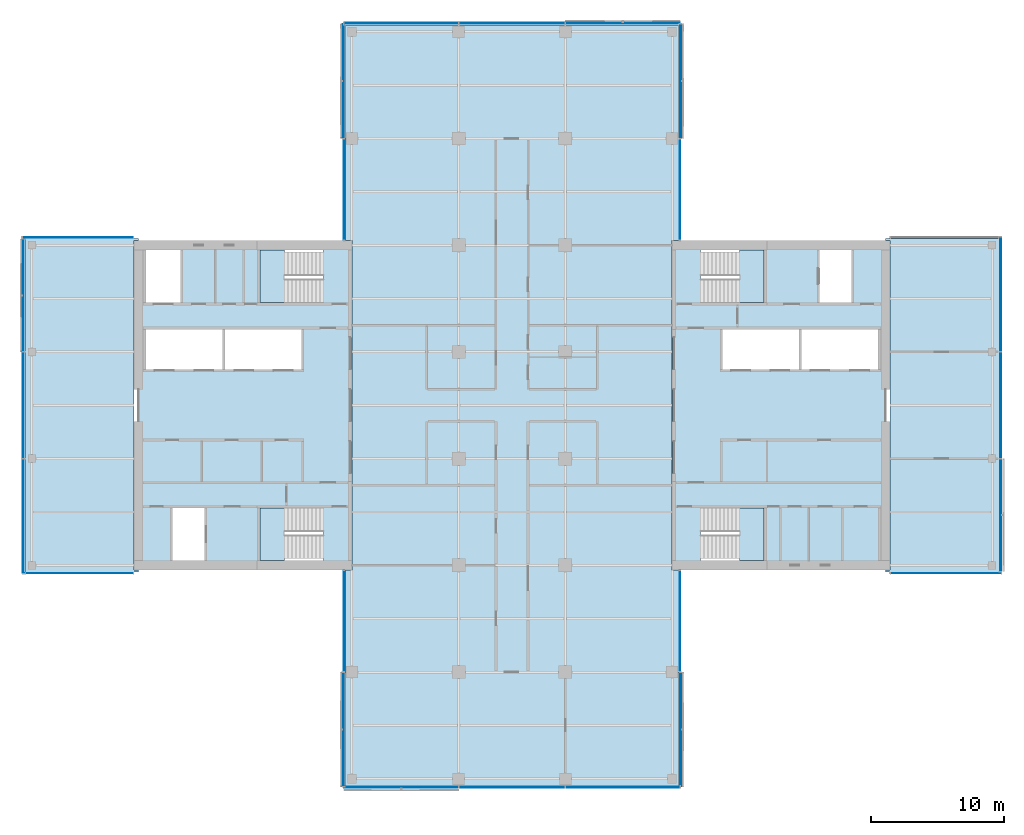
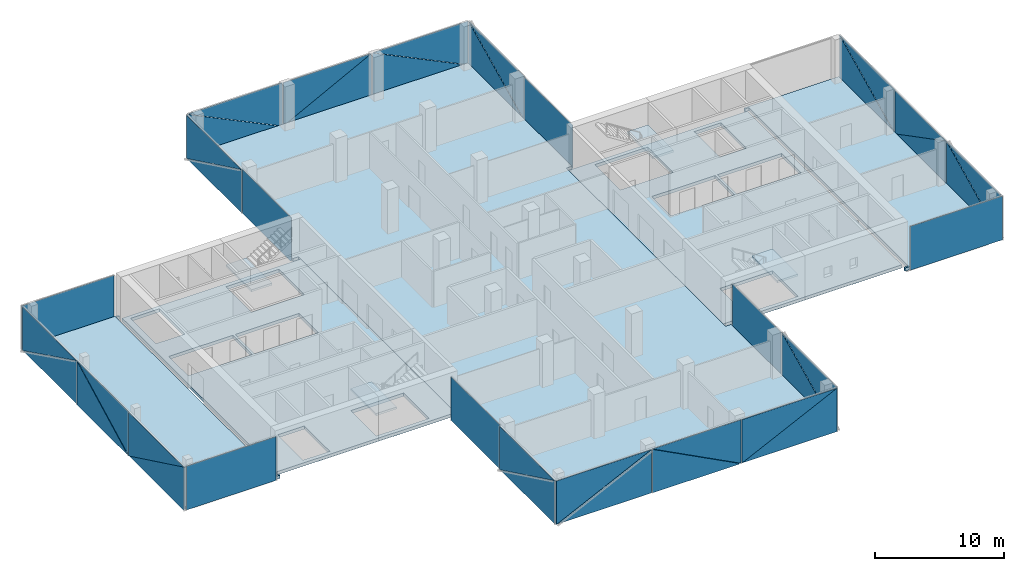
# One storey, part 12 of 22: 39 plates, 9 slabs, 19 elements without a shape of their own.
"""IFC4 building model written with IfcOpenShell, lengths in metres."""

from ifc_helpers import new_model, si_unit, direction, frame, origin, place, context, subcontext, project, spatial, polyline, outline, extrude, material, layer, layer_set, type_object, element, aggregate, save


model = new_model("IFC4")

# Units and contexts
model_context = context("Model", 3, precision=1e-05, world=origin(), true_north=direction((0.0, 1.0)))
body_context = subcontext(model_context, "Body", "Model", "MODEL_VIEW")
ifc_project = project(units=[si_unit("LENGTHUNIT", "METRE"), si_unit("AREAUNIT", "SQUARE_METRE"), si_unit("VOLUMEUNIT", "CUBIC_METRE"), si_unit("PLANEANGLEUNIT", "RADIAN"), si_unit("MASSUNIT", "GRAM", prefix="KILO")], contexts=[model_context])

# Site, building, storey
site_placement = place(None, origin())
site = spatial("IfcSite", under=ifc_project, at=site_placement, CompositionType="ELEMENT")
building_placement = place(site_placement, origin())
building = spatial("IfcBuilding", under=site, at=building_placement, Name="Crosswind Convention Tower", CompositionType="ELEMENT")
storey_placement = place(building_placement, frame((0.0, 0.0, 150.5)))
storey = spatial("IfcBuildingStorey", under=building, at=storey_placement, Name="L31", CompositionType="ELEMENT", Elevation=150.5)

# Slabs
ifc_material_1 = material(Name="Concrete C40/50", Category="concrete")
ifc_layer_1 = layer(ifc_material_1, 0.300048828125)
ifc_layer_set_1 = layer_set([ifc_layer_1], Name="Concrete C40/50")
slab_type_1 = type_object("IfcSlabType", Name="Composite floor slab 300", PredefinedType="FLOOR", material=ifc_layer_set_1)
slab_1_placement = place(storey_placement, frame((0.0, 0.0, -0.300048828125)))
element("IfcSlab", 1, at=slab_1_placement, inside=storey, type_object=slab_type_1, Name="Floor slab L31 part 1", PredefinedType="FLOOR", context=body_context, shape_type="SweptSolid", body=[
    extrude(outline(polyline([(97.0, 87.5), (89.0, 87.5), (88.5, 87.5), (88.5, 88.0), (88.5, 112.0), (88.5, 112.5), (89.0, 112.5), (97.0, 112.5), (97.0, 112.35009765625), (96.64990234375, 112.35009765625), (96.64990234375, 87.64990234375), (97.0, 87.64990234375), (97.0, 87.5)])), origin(), (0.0, 0.0, 1.0), 0.300048828125),
])
slab_2_placement = place(storey_placement, frame((0.0, 0.0, -0.300048828125)))
element("IfcSlab", 2, at=slab_2_placement, inside=storey, type_object=slab_type_1, Name="Floor slab L31 part 2", PredefinedType="FLOOR", context=body_context, shape_type="SweptSolid", body=[
    extrude(outline(polyline([(112.5, 87.64990234375), (113.0, 87.64990234375), (113.0, 112.35009765625), (112.5, 112.35009765625), (112.5, 128.0), (112.5, 128.5), (113.0, 128.5), (137.0, 128.5), (137.5, 128.5), (137.5, 128.0), (137.5, 112.35009765625), (137.0, 112.35009765625), (137.0, 87.64990234375), (137.5, 87.64990234375), (137.5, 72.0), (137.5, 71.5), (137.0, 71.5), (113.0, 71.5), (112.5, 71.5), (112.5, 72.0), (112.5, 87.64990234375)])), origin(), (0.0, 0.0, 1.0), 0.300048828125),
])
slab_3_placement = place(storey_placement, frame((0.0, 0.0, -0.300048828125)))
element("IfcSlab", 3, at=slab_3_placement, inside=storey, type_object=slab_type_1, Name="Floor slab L31 part 3", PredefinedType="FLOOR", context=body_context, shape_type="SweptSolid", body=[
    extrude(outline(polyline([(153.0, 112.5), (161.0, 112.5), (161.5, 112.5), (161.5, 112.0), (161.5, 88.0), (161.5, 87.5), (161.0, 87.5), (153.0, 87.5), (153.0, 87.64990234375), (153.35009765625, 87.64990234375), (153.35009765625, 112.35009765625), (153.0, 112.35009765625), (153.0, 112.5)])), origin(), (0.0, 0.0, 1.0), 0.300048828125),
])
ifc_layer_2 = layer(ifc_material_1, 0.300048828125)
ifc_layer_set_2 = layer_set([ifc_layer_2], Name="Concrete C40/50")
slab_type_2 = type_object("IfcSlabType", Name="Concrete core floor slab 300", PredefinedType="FLOOR", material=ifc_layer_set_2)
slab_4_placement = place(storey_placement, frame((0.0, 0.0, -0.300048828125)))
element("IfcSlab", 4, at=slab_4_placement, inside=storey, type_object=slab_type_2, Name="Core floor slab E L31", PredefinedType="FLOOR", context=body_context, shape_type="SweptSolid", body=[
    extrude(outline(polyline([(137.0, 88.0), (153.0, 88.0), (153.0, 112.0), (137.0, 112.0), (137.0, 88.0)]), holes=[polyline([(146.5, 102.699951171875), (146.5, 105.699951171875), (140.800048828125, 105.699951171875), (140.800048828125, 102.699951171875), (146.5, 102.699951171875)]), polyline([(152.449951171875, 102.699951171875), (152.449951171875, 105.699951171875), (146.699951171875, 105.699951171875), (146.699951171875, 102.699951171875), (152.449951171875, 102.699951171875)]), polyline([(150.449951171875, 107.699951171875), (150.449951171875, 111.64990234375), (148.050048828125, 111.64990234375), (148.050048828125, 107.699951171875), (150.449951171875, 107.699951171875)]), polyline([(143.89990234375, 107.699951171875), (143.89990234375, 111.64990234375), (139.14990234375, 111.64990234375), (139.14990234375, 107.699951171875), (143.89990234375, 107.699951171875)]), polyline([(143.89990234375, 88.35009765625), (143.89990234375, 92.300048828125), (139.14990234375, 92.300048828125), (139.14990234375, 88.35009765625), (143.89990234375, 88.35009765625)])]), origin(), (0.0, 0.0, 1.0), 0.300048828125),
])
slab_5_placement = place(storey_placement, frame((0.0, 0.0, -0.300048828125)))
element("IfcSlab", 5, at=slab_5_placement, inside=storey, type_object=slab_type_2, Name="Core floor slab W L31", PredefinedType="FLOOR", context=body_context, shape_type="SweptSolid", body=[
    extrude(outline(polyline([(97.0, 88.0), (113.0, 88.0), (113.0, 112.0), (97.0, 112.0), (97.0, 88.0)]), holes=[polyline([(109.199951171875, 102.699951171875), (109.199951171875, 105.699951171875), (103.5, 105.699951171875), (103.5, 102.699951171875), (109.199951171875, 102.699951171875)]), polyline([(103.300048828125, 102.699951171875), (103.300048828125, 105.699951171875), (97.550048828125, 105.699951171875), (97.550048828125, 102.699951171875), (103.300048828125, 102.699951171875)]), polyline([(101.949951171875, 88.35009765625), (101.949951171875, 92.300048828125), (99.550048828125, 92.300048828125), (99.550048828125, 88.35009765625), (101.949951171875, 88.35009765625)]), polyline([(100.14990234375, 107.699951171875), (100.14990234375, 111.64990234375), (97.550048828125, 111.64990234375), (97.550048828125, 107.699951171875), (100.14990234375, 107.699951171875)]), polyline([(110.85009765625, 88.35009765625), (110.85009765625, 92.300048828125), (106.10009765625, 92.300048828125), (106.10009765625, 88.35009765625), (110.85009765625, 88.35009765625)]), polyline([(110.85009765625, 107.699951171875), (110.85009765625, 111.64990234375), (106.10009765625, 111.64990234375), (106.10009765625, 107.699951171875), (110.85009765625, 107.699951171875)])]), origin(), (0.0, 0.0, 1.0), 0.300048828125),
])

# Stair, slab
stair_type = type_object("IfcStairType", Name="Exit stair 1800 wide, 2 flights of 11 risers", PredefinedType="HALF_TURN_STAIR", material=ifc_material_1)
stair_1_placement = place(storey_placement, origin())
stair_1 = element("IfcStair", 6, at=stair_1_placement, inside=storey, type_object=stair_type, Name="Exit stair ST1 L31", ObjectType="ST5", PredefinedType="HALF_TURN_STAIR")
ifc_layer_3 = layer(ifc_material_1, 0.199951171875)
ifc_layer_set_3 = layer_set([ifc_layer_3], Name="Concrete C40/50")
slab_type_3 = type_object("IfcSlabType", Name="Stair landing 200", PredefinedType="LANDING", material=ifc_layer_set_3)
slab_6_placement = place(storey_placement, frame((0.0, 0.0, 1.89990234375)))
slab_6 = element("IfcSlab", 7, at=slab_6_placement, type_object=slab_type_3, Name="ST1 landing 1", PredefinedType="LANDING", context=body_context, shape_type="SweptSolid", body=[
    extrude(outline(polyline([(143.89990234375, 107.699951171875), (143.89990234375, 111.64990234375), (142.050048828125, 111.64990234375), (142.050048828125, 107.699951171875), (143.89990234375, 107.699951171875)])), origin(), (0.0, 0.0, 1.0), 0.2001953125),
])
aggregate(stair_1, [slab_6])

stair_2_placement = place(storey_placement, origin())
stair_2 = element("IfcStair", 8, at=stair_2_placement, inside=storey, type_object=stair_type, Name="Exit stair ST2 L31", ObjectType="ST5", PredefinedType="HALF_TURN_STAIR")
slab_7_placement = place(storey_placement, frame((0.0, 0.0, 1.89990234375)))
slab_7 = element("IfcSlab", 9, at=slab_7_placement, type_object=slab_type_3, Name="ST2 landing 1", PredefinedType="LANDING", context=body_context, shape_type="SweptSolid", body=[
    extrude(outline(polyline([(143.89990234375, 88.35009765625), (143.89990234375, 92.300048828125), (142.050048828125, 92.300048828125), (142.050048828125, 88.35009765625), (143.89990234375, 88.35009765625)])), origin(), (0.0, 0.0, 1.0), 0.2001953125),
])
aggregate(stair_2, [slab_7])

stair_3_placement = place(storey_placement, origin())
stair_3 = element("IfcStair", 10, at=stair_3_placement, inside=storey, type_object=stair_type, Name="Exit stair ST3 L31", ObjectType="ST5", PredefinedType="HALF_TURN_STAIR")
slab_8_placement = place(storey_placement, frame((0.0, 0.0, 1.89990234375)))
slab_8 = element("IfcSlab", 11, at=slab_8_placement, type_object=slab_type_3, Name="ST3 landing 1", PredefinedType="LANDING", context=body_context, shape_type="SweptSolid", body=[
    extrude(outline(polyline([(107.949951171875, 88.35009765625), (107.949951171875, 92.300048828125), (106.10009765625, 92.300048828125), (106.10009765625, 88.35009765625), (107.949951171875, 88.35009765625)])), origin(), (0.0, 0.0, 1.0), 0.2001953125),
])
aggregate(stair_3, [slab_8])

stair_4_placement = place(storey_placement, origin())
stair_4 = element("IfcStair", 12, at=stair_4_placement, inside=storey, type_object=stair_type, Name="Exit stair ST4 L31", ObjectType="ST5", PredefinedType="HALF_TURN_STAIR")
slab_9_placement = place(storey_placement, frame((0.0, 0.0, 1.89990234375)))
slab_9 = element("IfcSlab", 13, at=slab_9_placement, type_object=slab_type_3, Name="ST4 landing 1", PredefinedType="LANDING", context=body_context, shape_type="SweptSolid", body=[
    extrude(outline(polyline([(107.949951171875, 107.699951171875), (107.949951171875, 111.64990234375), (106.10009765625, 111.64990234375), (106.10009765625, 107.699951171875), (107.949951171875, 107.699951171875)])), origin(), (0.0, 0.0, 1.0), 0.2001953125),
])
aggregate(stair_4, [slab_9])

# Curtain wall, plate
ifc_material_2 = material(Name="Aluminium unitised curtain wall", Category="aluminium")
curtain_wall_type_1 = type_object("IfcCurtainWallType", Name="CORE END SLOT WALL 160", PredefinedType="USERDEFINED", material=ifc_material_2)
curtain_wall_1_placement = place(storey_placement, origin())
curtain_wall_1 = element("IfcCurtainWall", 14, at=curtain_wall_1_placement, inside=storey, type_object=curtain_wall_type_1, Name="CW6 L31 N-E.1-1 slot", ObjectType="UNITISED", PredefinedType="USERDEFINED")
ifc_material_3 = material(Name="Laminated insulating glass unit", Category="glass")
ifc_layer_4 = layer(ifc_material_3, 0.02587890625)
ifc_layer_set_4 = layer_set([ifc_layer_4], Name="TRIANGULAR GLASS PANEL 26")
plate_type_1 = type_object("IfcPlateType", Name="TRIANGULAR GLASS PANEL 26", PredefinedType="CURTAIN_PANEL", material=ifc_layer_set_4)
plate_1_placement = place(storey_placement, frame((137.60693359375, 112.39990234375, -0.300048828125), z_axis=(0.999999915215, 0.0, 0.000411788894), x_axis=(0.0, 1.0, 0.0)))
plate_1 = element("IfcPlate", 15, at=plate_1_placement, type_object=plate_type_1, Name="CW6 panel 1.1", PredefinedType="CURTAIN_PANEL", context=body_context, shape_type="SweptSolid", body=[
    extrude(outline(polyline([(0.0, 0.0), (7.550048828125, 0.0), (7.550048828125, 4.1501468362454075), (0.0, 4.1501468362454075), (0.0, 0.0)])), origin(), (0.0, 0.0, -1.0), 0.02587890625),
])
aggregate(curtain_wall_1, [plate_1])

curtain_wall_2_placement = place(storey_placement, origin())
curtain_wall_2 = element("IfcCurtainWall", 16, at=curtain_wall_2_placement, inside=storey, type_object=curtain_wall_type_1, Name="CW6 L31 N-W.1-2 slot", ObjectType="UNITISED", PredefinedType="USERDEFINED")
plate_2_placement = place(storey_placement, frame((112.39306640625, 119.949951171875, -0.300048828125), z_axis=(-0.999999915215, 0.0, 0.000411788894), x_axis=(0.0, -1.0, 0.0)))
plate_2 = element("IfcPlate", 17, at=plate_2_placement, type_object=plate_type_1, Name="CW6 panel 1.1", PredefinedType="CURTAIN_PANEL", context=body_context, shape_type="SweptSolid", body=[
    extrude(outline(polyline([(0.0, 0.0), (7.550048828125, 0.0), (7.550048828125, 4.1501468362454075), (0.0, 4.1501468362454075), (0.0, 0.0)])), origin(), (0.0, 0.0, -1.0), 0.02587890625),
])
aggregate(curtain_wall_2, [plate_2])

curtain_wall_3_placement = place(storey_placement, origin())
curtain_wall_3 = element("IfcCurtainWall", 18, at=curtain_wall_3_placement, inside=storey, type_object=curtain_wall_type_1, Name="CW6 L31 W-N.2-1 slot", ObjectType="UNITISED", PredefinedType="USERDEFINED")
plate_3_placement = place(storey_placement, frame((96.60009765625, 112.60693359375, -0.300048828125), z_axis=(0.0, 0.999999915215, 0.000411788894), x_axis=(-1.0, 0.0, 0.0)))
plate_3 = element("IfcPlate", 19, at=plate_3_placement, type_object=plate_type_1, Name="CW6 panel 1.1", PredefinedType="CURTAIN_PANEL", context=body_context, shape_type="SweptSolid", body=[
    extrude(outline(polyline([(0.0, 0.0), (8.27001953125, 0.0), (8.27001953125, 4.1501468362454075), (0.0, 4.1501468362454075), (0.0, 0.0)])), origin(), (0.0, 0.0, -1.0), 0.02587890625),
])
aggregate(curtain_wall_3, [plate_3])

curtain_wall_4_placement = place(storey_placement, origin())
curtain_wall_4 = element("IfcCurtainWall", 20, at=curtain_wall_4_placement, inside=storey, type_object=curtain_wall_type_1, Name="CW6 L31 W-S.1-1 slot", ObjectType="UNITISED", PredefinedType="USERDEFINED")
plate_4_placement = place(storey_placement, frame((88.550048828125, 87.39306640625, -0.300048828125), z_axis=(0.0, -0.999999915215, 0.000411788894), x_axis=(1.0, 0.0, 0.0)))
plate_4 = element("IfcPlate", 21, at=plate_4_placement, type_object=plate_type_1, Name="CW6 panel 1.1", PredefinedType="CURTAIN_PANEL", context=body_context, shape_type="SweptSolid", body=[
    extrude(outline(polyline([(0.0, 0.0), (8.050048828125, 0.0), (8.050048828125, 4.150146836245408), (0.0, 4.150146836245408), (0.0, 0.0)])), origin(), (0.0, 0.0, -1.0), 0.02587890625),
])
aggregate(curtain_wall_4, [plate_4])

curtain_wall_5_placement = place(storey_placement, origin())
curtain_wall_5 = element("IfcCurtainWall", 22, at=curtain_wall_5_placement, inside=storey, type_object=curtain_wall_type_1, Name="CW6 L31 S-W.1-1 slot", ObjectType="UNITISED", PredefinedType="USERDEFINED")
plate_5_placement = place(storey_placement, frame((112.39306640625, 87.60009765625, -0.300048828125), z_axis=(-0.999999915215, 0.0, 0.000411788894), x_axis=(0.0, -1.0, 0.0)))
plate_5 = element("IfcPlate", 23, at=plate_5_placement, type_object=plate_type_1, Name="CW6 panel 1.1", PredefinedType="CURTAIN_PANEL", context=body_context, shape_type="SweptSolid", body=[
    extrude(outline(polyline([(0.0, 0.0), (7.550048828125, 0.0), (7.550048828125, 4.1501468362454075), (0.0, 4.1501468362454075), (0.0, 0.0)])), origin(), (0.0, 0.0, -1.0), 0.02587890625),
])
aggregate(curtain_wall_5, [plate_5])

curtain_wall_6_placement = place(storey_placement, origin())
curtain_wall_6 = element("IfcCurtainWall", 24, at=curtain_wall_6_placement, inside=storey, type_object=curtain_wall_type_1, Name="CW6 L31 S-E.1-2 slot", ObjectType="UNITISED", PredefinedType="USERDEFINED")
plate_6_placement = place(storey_placement, frame((137.60693359375, 80.050048828125, -0.300048828125), z_axis=(0.999999915215, 0.0, 0.000411788894), x_axis=(0.0, 1.0, 0.0)))
plate_6 = element("IfcPlate", 25, at=plate_6_placement, type_object=plate_type_1, Name="CW6 panel 1.1", PredefinedType="CURTAIN_PANEL", context=body_context, shape_type="SweptSolid", body=[
    extrude(outline(polyline([(0.0, 0.0), (7.550048828125, 0.0), (7.550048828125, 4.1501468362454075), (0.0, 4.1501468362454075), (0.0, 0.0)])), origin(), (0.0, 0.0, -1.0), 0.02587890625),
])
aggregate(curtain_wall_6, [plate_6])

curtain_wall_7_placement = place(storey_placement, origin())
curtain_wall_7 = element("IfcCurtainWall", 26, at=curtain_wall_7_placement, inside=storey, type_object=curtain_wall_type_1, Name="CW6 L31 E-S.2-1 slot", ObjectType="UNITISED", PredefinedType="USERDEFINED")
plate_7_placement = place(storey_placement, frame((153.39990234375, 87.39306640625, -0.300048828125), z_axis=(0.0, -0.999999915215, 0.000411788894), x_axis=(1.0, 0.0, 0.0)))
plate_7 = element("IfcPlate", 27, at=plate_7_placement, type_object=plate_type_1, Name="CW6 panel 1.1", PredefinedType="CURTAIN_PANEL", context=body_context, shape_type="SweptSolid", body=[
    extrude(outline(polyline([(0.0, 0.0), (8.27001953125, 0.0), (8.27001953125, 4.1501468362454075), (0.0, 4.1501468362454075), (0.0, 0.0)])), origin(), (0.0, 0.0, -1.0), 0.02587890625),
])
aggregate(curtain_wall_7, [plate_7])

# Curtain wall, plates
curtain_wall_type_2 = type_object("IfcCurtainWallType", Name="OFFICE UNITISED WALL 220", PredefinedType="USERDEFINED", material=ifc_material_2)
curtain_wall_8_placement = place(storey_placement, origin())
curtain_wall_8 = element("IfcCurtainWall", 28, at=curtain_wall_8_placement, inside=storey, type_object=curtain_wall_type_2, Name="CW3 L31 E-TIP 1", ObjectType="UNITISED", PredefinedType="USERDEFINED")
ifc_layer_5 = layer(ifc_material_3, 0.031982421875)
ifc_layer_set_5 = layer_set([ifc_layer_5], Name="TRIANGULAR GLASS PANEL 32")
plate_type_2 = type_object("IfcPlateType", Name="TRIANGULAR GLASS PANEL 32", PredefinedType="CURTAIN_PANEL", material=ifc_layer_set_5)
plate_8_placement = place(storey_placement, frame((161.642822265625, 95.965087890625, -0.300048828125), z_axis=(0.999999913924, 0.0, 0.000414913129), x_axis=(-0.000414913129, 0.0, 0.999999913924)))
plate_8 = element("IfcPlate", 29, at=plate_8_placement, type_object=plate_type_2, Name="CW3 panel 1.1", PredefinedType="CURTAIN_PANEL", context=body_context, shape_type="SweptSolid", body=[
    extrude(outline(polyline([(0.0, 0.0), (4.118896838915043, 0.0), (0.0, 8.372314453125), (0.0, 0.0)])), origin(), (0.0, 0.0, -1.0), 0.031982421875),
])
plate_9_placement = place(storey_placement, frame((161.67529296875, 87.570068359375, 3.830078125), z_axis=(0.99999993676, 0.0, 0.000355639833), x_axis=(0.000355639833, 0.0, -0.99999993676)))
plate_9 = element("IfcPlate", 30, at=plate_9_placement, type_object=plate_type_2, Name="CW3 panel 1.2", PredefinedType="CURTAIN_PANEL", context=body_context, shape_type="SweptSolid", body=[
    extrude(outline(polyline([(0.0, 0.0), (4.1188967448534015, 0.0), (0.0, 8.372314453125), (0.0, 0.0)])), origin(), (0.0, 0.0, -1.0), 0.031982421875),
])
plate_10_placement = place(storey_placement, frame((161.64111328125, 103.965087890625, 3.830078125), z_axis=(0.999999913924, 0.0, 0.000414913129), x_axis=(0.0, -1.0, 0.0)))
plate_10 = element("IfcPlate", 31, at=plate_10_placement, type_object=plate_type_2, Name="CW3 panel 2.1", PredefinedType="CURTAIN_PANEL", context=body_context, shape_type="SweptSolid", body=[
    extrude(outline(polyline([(0.0, 0.0), (7.908447265625, 0.0), (0.0, 4.118896838915043), (0.0, 0.0)])), origin(), (0.0, 0.0, -1.0), 0.031982421875),
])
plate_11_placement = place(storey_placement, frame((161.6767578125, 96.034912109375, -0.300048828125), z_axis=(0.999999936753, 0.0, 0.000355660914), x_axis=(0.0, 1.0, 0.0)))
plate_11 = element("IfcPlate", 32, at=plate_11_placement, type_object=plate_type_2, Name="CW3 panel 2.2", PredefinedType="CURTAIN_PANEL", context=body_context, shape_type="SweptSolid", body=[
    extrude(outline(polyline([(0.0, 0.0), (7.908447265625, 0.0), (0.0, 4.118652604243842), (0.0, 0.0)])), origin(), (0.0, 0.0, -1.0), 0.031982421875),
])
plate_12_placement = place(storey_placement, frame((161.642822265625, 112.590087890625, -0.300048828125), z_axis=(0.999999913924, 0.0, 0.000414913129), x_axis=(-0.000414913129, 0.0, 0.999999913924)))
plate_12 = element("IfcPlate", 33, at=plate_12_placement, type_object=plate_type_2, Name="CW3 panel 3.1", PredefinedType="CURTAIN_PANEL", context=body_context, shape_type="SweptSolid", body=[
    extrude(outline(polyline([(0.0, 0.0), (4.118896838915043, 0.0), (0.0, 8.531982421874998), (0.0, 0.0)])), origin(), (0.0, 0.0, -1.0), 0.031982421875),
])
plate_13_placement = place(storey_placement, frame((161.67529296875, 104.034912109375, 3.830078125), z_axis=(0.99999993676, 0.0, 0.000355639833), x_axis=(0.000355639833, 0.0, -0.99999993676)))
plate_13 = element("IfcPlate", 34, at=plate_13_placement, type_object=plate_type_2, Name="CW3 panel 3.2", PredefinedType="CURTAIN_PANEL", context=body_context, shape_type="SweptSolid", body=[
    extrude(outline(polyline([(0.0, 0.0), (4.1188967448534015, 0.0), (0.0, 8.531982421875), (0.0, 0.0)])), origin(), (0.0, 0.0, -1.0), 0.031982421875),
])
aggregate(curtain_wall_8, [plate_8, plate_9, plate_10, plate_11, plate_12, plate_13])

curtain_wall_9_placement = place(storey_placement, origin())
curtain_wall_9 = element("IfcCurtainWall", 35, at=curtain_wall_9_placement, inside=storey, type_object=curtain_wall_type_2, Name="CW3 L31 N-E 1", ObjectType="UNITISED", PredefinedType="USERDEFINED")
plate_14_placement = place(storey_placement, frame((137.642822265625, 128.574951171875, -0.300048828125), z_axis=(0.999999913924, 0.0, 0.000414913129), x_axis=(-0.000414913129, 0.0, 0.999999913924)))
plate_14 = element("IfcPlate", 36, at=plate_14_placement, type_object=plate_type_2, Name="CW3 panel 1.1", PredefinedType="CURTAIN_PANEL", context=body_context, shape_type="SweptSolid", body=[
    extrude(outline(polyline([(0.0, 0.0), (4.118896838915043, 0.0), (0.0, 8.517089843749998), (0.0, 0.0)])), origin(), (0.0, 0.0, -1.0), 0.031982421875),
])
plate_15_placement = place(storey_placement, frame((137.67529296875, 120.034912109375, 3.830078125), z_axis=(0.99999993676, 0.0, 0.000355639833), x_axis=(0.000355639833, 0.0, -0.99999993676)))
plate_15 = element("IfcPlate", 37, at=plate_15_placement, type_object=plate_type_2, Name="CW3 panel 1.2", PredefinedType="CURTAIN_PANEL", context=body_context, shape_type="SweptSolid", body=[
    extrude(outline(polyline([(0.0, 0.0), (4.1188967448534015, 0.0), (0.0, 8.51708984375), (0.0, 0.0)])), origin(), (0.0, 0.0, -1.0), 0.031982421875),
])
aggregate(curtain_wall_9, [plate_14, plate_15])

curtain_wall_10_placement = place(storey_placement, origin())
curtain_wall_10 = element("IfcCurtainWall", 38, at=curtain_wall_10_placement, inside=storey, type_object=curtain_wall_type_2, Name="CW3 L31 N-TIP 1", ObjectType="UNITISED", PredefinedType="USERDEFINED")
plate_16_placement = place(storey_placement, frame((129.034912109375, 128.642822265625, -0.300048828125), z_axis=(0.0, 0.999999913924, 0.000414913129), x_axis=(0.0, -0.000414913129, 0.999999913924)))
plate_16 = element("IfcPlate", 39, at=plate_16_placement, type_object=plate_type_2, Name="CW3 panel 1.1", PredefinedType="CURTAIN_PANEL", context=body_context, shape_type="SweptSolid", body=[
    extrude(outline(polyline([(0.0, 0.0), (4.118896838915043, 0.0), (0.0, 8.517089843749998), (0.0, 0.0)])), origin(), (0.0, 0.0, -1.0), 0.031982421875),
])
plate_17_placement = place(storey_placement, frame((137.574951171875, 128.67529296875, 3.830078125), z_axis=(0.0, 0.99999993676, 0.000355639833), x_axis=(0.0, 0.000355639833, -0.99999993676)))
plate_17 = element("IfcPlate", 40, at=plate_17_placement, type_object=plate_type_2, Name="CW3 panel 1.2", PredefinedType="CURTAIN_PANEL", context=body_context, shape_type="SweptSolid", body=[
    extrude(outline(polyline([(0.0, 0.0), (4.1188967448534015, 0.0), (0.0, 8.51708984375), (0.0, 0.0)])), origin(), (0.0, 0.0, -1.0), 0.031982421875),
])
plate_18_placement = place(storey_placement, frame((121.034912109375, 128.64111328125, 3.830078125), z_axis=(0.0, 0.999999913924, 0.000414913129), x_axis=(1.0, 0.0, 0.0)))
plate_18 = element("IfcPlate", 41, at=plate_18_placement, type_object=plate_type_2, Name="CW3 panel 2.1", PredefinedType="CURTAIN_PANEL", context=body_context, shape_type="SweptSolid", body=[
    extrude(outline(polyline([(0.0, 0.0), (7.908447265625, 0.0), (0.0, 4.118896838915043), (0.0, 0.0)])), origin(), (0.0, 0.0, -1.0), 0.031982421875),
])
plate_19_placement = place(storey_placement, frame((128.965087890625, 128.6767578125, -0.300048828125), z_axis=(0.0, 0.999999936753, 0.000355660914), x_axis=(-1.0, 0.0, 0.0)))
plate_19 = element("IfcPlate", 42, at=plate_19_placement, type_object=plate_type_2, Name="CW3 panel 2.2", PredefinedType="CURTAIN_PANEL", context=body_context, shape_type="SweptSolid", body=[
    extrude(outline(polyline([(0.0, 0.0), (7.908447265625, 0.0), (0.0, 4.118652604243842), (0.0, 0.0)])), origin(), (0.0, 0.0, -1.0), 0.031982421875),
])
plate_20_placement = place(storey_placement, frame((112.425048828125, 128.642822265625, -0.300048828125), z_axis=(0.0, 0.999999913924, 0.000414913129), x_axis=(0.0, -0.000414913129, 0.999999913924)))
plate_20 = element("IfcPlate", 43, at=plate_20_placement, type_object=plate_type_2, Name="CW3 panel 3.1", PredefinedType="CURTAIN_PANEL", context=body_context, shape_type="SweptSolid", body=[
    extrude(outline(polyline([(0.0, 0.0), (4.118896838915043, 0.0), (0.0, 8.517089843749998), (0.0, 0.0)])), origin(), (0.0, 0.0, -1.0), 0.031982421875),
])
plate_21_placement = place(storey_placement, frame((120.965087890625, 128.67529296875, 3.830078125), z_axis=(0.0, 0.99999993676, 0.000355639833), x_axis=(0.0, 0.000355639833, -0.99999993676)))
plate_21 = element("IfcPlate", 44, at=plate_21_placement, type_object=plate_type_2, Name="CW3 panel 3.2", PredefinedType="CURTAIN_PANEL", context=body_context, shape_type="SweptSolid", body=[
    extrude(outline(polyline([(0.0, 0.0), (4.1188967448534015, 0.0), (0.0, 8.51708984375), (0.0, 0.0)])), origin(), (0.0, 0.0, -1.0), 0.031982421875),
])
aggregate(curtain_wall_10, [plate_16, plate_17, plate_18, plate_19, plate_20, plate_21])

curtain_wall_11_placement = place(storey_placement, origin())
curtain_wall_11 = element("IfcCurtainWall", 45, at=curtain_wall_11_placement, inside=storey, type_object=curtain_wall_type_2, Name="CW3 L31 N-W 1", ObjectType="UNITISED", PredefinedType="USERDEFINED")
plate_22_placement = place(storey_placement, frame((112.357177734375, 120.034912109375, -0.300048828125), z_axis=(-0.999999913924, 0.0, 0.000414913129), x_axis=(0.000414913129, 0.0, 0.999999913924)))
plate_22 = element("IfcPlate", 46, at=plate_22_placement, type_object=plate_type_2, Name="CW3 panel 1.1", PredefinedType="CURTAIN_PANEL", context=body_context, shape_type="SweptSolid", body=[
    extrude(outline(polyline([(0.0, 0.0), (4.118896838915043, 0.0), (0.0, 8.517089843749998), (0.0, 0.0)])), origin(), (0.0, 0.0, -1.0), 0.031982421875),
])
plate_23_placement = place(storey_placement, frame((112.32470703125, 128.574951171875, 3.830078125), z_axis=(-0.99999993676, 0.0, 0.000355639833), x_axis=(-0.000355639833, 0.0, -0.99999993676)))
plate_23 = element("IfcPlate", 47, at=plate_23_placement, type_object=plate_type_2, Name="CW3 panel 1.2", PredefinedType="CURTAIN_PANEL", context=body_context, shape_type="SweptSolid", body=[
    extrude(outline(polyline([(0.0, 0.0), (4.1188967448534015, 0.0), (0.0, 8.51708984375), (0.0, 0.0)])), origin(), (0.0, 0.0, -1.0), 0.031982421875),
])
aggregate(curtain_wall_11, [plate_22, plate_23])

curtain_wall_12_placement = place(storey_placement, origin())
curtain_wall_12 = element("IfcCurtainWall", 48, at=curtain_wall_12_placement, inside=storey, type_object=curtain_wall_type_2, Name="CW3 L31 W-TIP 1", ObjectType="UNITISED", PredefinedType="USERDEFINED")
plate_24_placement = place(storey_placement, frame((88.357177734375, 104.034912109375, -0.300048828125), z_axis=(-0.999999913924, 0.0, 0.000414913129), x_axis=(0.000414913129, 0.0, 0.999999913924)))
plate_24 = element("IfcPlate", 49, at=plate_24_placement, type_object=plate_type_2, Name="CW3 panel 1.1", PredefinedType="CURTAIN_PANEL", context=body_context, shape_type="SweptSolid", body=[
    extrude(outline(polyline([(0.0, 0.0), (4.118896838915043, 0.0), (0.0, 8.372314453125), (0.0, 0.0)])), origin(), (0.0, 0.0, -1.0), 0.031982421875),
])
plate_25_placement = place(storey_placement, frame((88.32470703125, 112.429931640625, 3.830078125), z_axis=(-0.99999993676, 0.0, 0.000355639833), x_axis=(-0.000355639833, 0.0, -0.99999993676)))
plate_25 = element("IfcPlate", 50, at=plate_25_placement, type_object=plate_type_2, Name="CW3 panel 1.2", PredefinedType="CURTAIN_PANEL", context=body_context, shape_type="SweptSolid", body=[
    extrude(outline(polyline([(0.0, 0.0), (4.1188967448534015, 0.0), (0.0, 8.372314453125), (0.0, 0.0)])), origin(), (0.0, 0.0, -1.0), 0.031982421875),
])
plate_26_placement = place(storey_placement, frame((88.35888671875, 96.034912109375, 3.830078125), z_axis=(-0.999999913924, 0.0, 0.000414913129), x_axis=(0.0, 1.0, 0.0)))
plate_26 = element("IfcPlate", 51, at=plate_26_placement, type_object=plate_type_2, Name="CW3 panel 2.1", PredefinedType="CURTAIN_PANEL", context=body_context, shape_type="SweptSolid", body=[
    extrude(outline(polyline([(0.0, 0.0), (7.908447265625, 0.0), (0.0, 4.118896838915043), (0.0, 0.0)])), origin(), (0.0, 0.0, -1.0), 0.031982421875),
])
plate_27_placement = place(storey_placement, frame((88.3232421875, 103.965087890625, -0.300048828125), z_axis=(-0.999999936753, 0.0, 0.000355660914), x_axis=(0.0, -1.0, 0.0)))
plate_27 = element("IfcPlate", 52, at=plate_27_placement, type_object=plate_type_2, Name="CW3 panel 2.2", PredefinedType="CURTAIN_PANEL", context=body_context, shape_type="SweptSolid", body=[
    extrude(outline(polyline([(0.0, 0.0), (7.908447265625, 0.0), (0.0, 4.118652604243842), (0.0, 0.0)])), origin(), (0.0, 0.0, -1.0), 0.031982421875),
])
plate_28_placement = place(storey_placement, frame((88.357177734375, 87.409912109375, -0.300048828125), z_axis=(-0.999999913924, 0.0, 0.000414913129), x_axis=(0.000414913129, 0.0, 0.999999913924)))
plate_28 = element("IfcPlate", 53, at=plate_28_placement, type_object=plate_type_2, Name="CW3 panel 3.1", PredefinedType="CURTAIN_PANEL", context=body_context, shape_type="SweptSolid", body=[
    extrude(outline(polyline([(0.0, 0.0), (4.118896838915043, 0.0), (0.0, 8.531982421874998), (0.0, 0.0)])), origin(), (0.0, 0.0, -1.0), 0.031982421875),
])
plate_29_placement = place(storey_placement, frame((88.32470703125, 95.965087890625, 3.830078125), z_axis=(-0.99999993676, 0.0, 0.000355639833), x_axis=(-0.000355639833, 0.0, -0.99999993676)))
plate_29 = element("IfcPlate", 54, at=plate_29_placement, type_object=plate_type_2, Name="CW3 panel 3.2", PredefinedType="CURTAIN_PANEL", context=body_context, shape_type="SweptSolid", body=[
    extrude(outline(polyline([(0.0, 0.0), (4.1188967448534015, 0.0), (0.0, 8.531982421875), (0.0, 0.0)])), origin(), (0.0, 0.0, -1.0), 0.031982421875),
])
aggregate(curtain_wall_12, [plate_24, plate_25, plate_26, plate_27, plate_28, plate_29])

curtain_wall_13_placement = place(storey_placement, origin())
curtain_wall_13 = element("IfcCurtainWall", 55, at=curtain_wall_13_placement, inside=storey, type_object=curtain_wall_type_2, Name="CW3 L31 S-W 1", ObjectType="UNITISED", PredefinedType="USERDEFINED")
plate_30_placement = place(storey_placement, frame((112.357177734375, 71.425048828125, -0.300048828125), z_axis=(-0.999999913924, 0.0, 0.000414913129), x_axis=(0.000414913129, 0.0, 0.999999913924)))
plate_30 = element("IfcPlate", 56, at=plate_30_placement, type_object=plate_type_2, Name="CW3 panel 1.1", PredefinedType="CURTAIN_PANEL", context=body_context, shape_type="SweptSolid", body=[
    extrude(outline(polyline([(0.0, 0.0), (4.118896838915043, 0.0), (0.0, 8.517089843749998), (0.0, 0.0)])), origin(), (0.0, 0.0, -1.0), 0.031982421875),
])
plate_31_placement = place(storey_placement, frame((112.32470703125, 79.965087890625, 3.830078125), z_axis=(-0.99999993676, 0.0, 0.000355639833), x_axis=(-0.000355639833, 0.0, -0.99999993676)))
plate_31 = element("IfcPlate", 57, at=plate_31_placement, type_object=plate_type_2, Name="CW3 panel 1.2", PredefinedType="CURTAIN_PANEL", context=body_context, shape_type="SweptSolid", body=[
    extrude(outline(polyline([(0.0, 0.0), (4.1188967448534015, 0.0), (0.0, 8.51708984375), (0.0, 0.0)])), origin(), (0.0, 0.0, -1.0), 0.031982421875),
])
aggregate(curtain_wall_13, [plate_30, plate_31])

curtain_wall_14_placement = place(storey_placement, origin())
curtain_wall_14 = element("IfcCurtainWall", 58, at=curtain_wall_14_placement, inside=storey, type_object=curtain_wall_type_2, Name="CW3 L31 S-TIP 1", ObjectType="UNITISED", PredefinedType="USERDEFINED")
plate_32_placement = place(storey_placement, frame((120.965087890625, 71.357177734375, -0.300048828125), z_axis=(0.0, -0.999999913924, 0.000414913129), x_axis=(0.0, 0.000414913129, 0.999999913924)))
plate_32 = element("IfcPlate", 59, at=plate_32_placement, type_object=plate_type_2, Name="CW3 panel 1.1", PredefinedType="CURTAIN_PANEL", context=body_context, shape_type="SweptSolid", body=[
    extrude(outline(polyline([(0.0, 0.0), (4.118896838915043, 0.0), (0.0, 8.517089843749998), (0.0, 0.0)])), origin(), (0.0, 0.0, -1.0), 0.031982421875),
])
plate_33_placement = place(storey_placement, frame((112.425048828125, 71.32470703125, 3.830078125), z_axis=(0.0, -0.99999993676, 0.000355639833), x_axis=(0.0, -0.000355639833, -0.99999993676)))
plate_33 = element("IfcPlate", 60, at=plate_33_placement, type_object=plate_type_2, Name="CW3 panel 1.2", PredefinedType="CURTAIN_PANEL", context=body_context, shape_type="SweptSolid", body=[
    extrude(outline(polyline([(0.0, 0.0), (4.1188967448534015, 0.0), (0.0, 8.51708984375), (0.0, 0.0)])), origin(), (0.0, 0.0, -1.0), 0.031982421875),
])
plate_34_placement = place(storey_placement, frame((128.965087890625, 71.35888671875, 3.830078125), z_axis=(0.0, -0.999999913924, 0.000414913129), x_axis=(-1.0, 0.0, 0.0)))
plate_34 = element("IfcPlate", 61, at=plate_34_placement, type_object=plate_type_2, Name="CW3 panel 2.1", PredefinedType="CURTAIN_PANEL", context=body_context, shape_type="SweptSolid", body=[
    extrude(outline(polyline([(0.0, 0.0), (7.908447265625, 0.0), (0.0, 4.118896838915043), (0.0, 0.0)])), origin(), (0.0, 0.0, -1.0), 0.031982421875),
])
plate_35_placement = place(storey_placement, frame((121.034912109375, 71.3232421875, -0.300048828125), z_axis=(0.0, -0.999999936753, 0.000355660914), x_axis=(1.0, 0.0, 0.0)))
plate_35 = element("IfcPlate", 62, at=plate_35_placement, type_object=plate_type_2, Name="CW3 panel 2.2", PredefinedType="CURTAIN_PANEL", context=body_context, shape_type="SweptSolid", body=[
    extrude(outline(polyline([(0.0, 0.0), (7.908447265625, 0.0), (0.0, 4.118652604243842), (0.0, 0.0)])), origin(), (0.0, 0.0, -1.0), 0.031982421875),
])
plate_36_placement = place(storey_placement, frame((137.574951171875, 71.357177734375, -0.300048828125), z_axis=(0.0, -0.999999913924, 0.000414913129), x_axis=(0.0, 0.000414913129, 0.999999913924)))
plate_36 = element("IfcPlate", 63, at=plate_36_placement, type_object=plate_type_2, Name="CW3 panel 3.1", PredefinedType="CURTAIN_PANEL", context=body_context, shape_type="SweptSolid", body=[
    extrude(outline(polyline([(0.0, 0.0), (4.118896838915043, 0.0), (0.0, 8.517089843749998), (0.0, 0.0)])), origin(), (0.0, 0.0, -1.0), 0.031982421875),
])
plate_37_placement = place(storey_placement, frame((129.034912109375, 71.32470703125, 3.830078125), z_axis=(0.0, -0.99999993676, 0.000355639833), x_axis=(0.0, -0.000355639833, -0.99999993676)))
plate_37 = element("IfcPlate", 64, at=plate_37_placement, type_object=plate_type_2, Name="CW3 panel 3.2", PredefinedType="CURTAIN_PANEL", context=body_context, shape_type="SweptSolid", body=[
    extrude(outline(polyline([(0.0, 0.0), (4.1188967448534015, 0.0), (0.0, 8.51708984375), (0.0, 0.0)])), origin(), (0.0, 0.0, -1.0), 0.031982421875),
])
aggregate(curtain_wall_14, [plate_32, plate_33, plate_34, plate_35, plate_36, plate_37])

curtain_wall_15_placement = place(storey_placement, origin())
curtain_wall_15 = element("IfcCurtainWall", 65, at=curtain_wall_15_placement, inside=storey, type_object=curtain_wall_type_2, Name="CW3 L31 S-E 1", ObjectType="UNITISED", PredefinedType="USERDEFINED")
plate_38_placement = place(storey_placement, frame((137.642822265625, 79.965087890625, -0.300048828125), z_axis=(0.999999913924, 0.0, 0.000414913129), x_axis=(-0.000414913129, 0.0, 0.999999913924)))
plate_38 = element("IfcPlate", 66, at=plate_38_placement, type_object=plate_type_2, Name="CW3 panel 1.1", PredefinedType="CURTAIN_PANEL", context=body_context, shape_type="SweptSolid", body=[
    extrude(outline(polyline([(0.0, 0.0), (4.118896838915043, 0.0), (0.0, 8.517089843749998), (0.0, 0.0)])), origin(), (0.0, 0.0, -1.0), 0.031982421875),
])
plate_39_placement = place(storey_placement, frame((137.67529296875, 71.425048828125, 3.830078125), z_axis=(0.99999993676, 0.0, 0.000355639833), x_axis=(0.000355639833, 0.0, -0.99999993676)))
plate_39 = element("IfcPlate", 67, at=plate_39_placement, type_object=plate_type_2, Name="CW3 panel 1.2", PredefinedType="CURTAIN_PANEL", context=body_context, shape_type="SweptSolid", body=[
    extrude(outline(polyline([(0.0, 0.0), (4.1188967448534015, 0.0), (0.0, 8.51708984375), (0.0, 0.0)])), origin(), (0.0, 0.0, -1.0), 0.031982421875),
])
aggregate(curtain_wall_15, [plate_38, plate_39])

save(model, "model.ifc")
